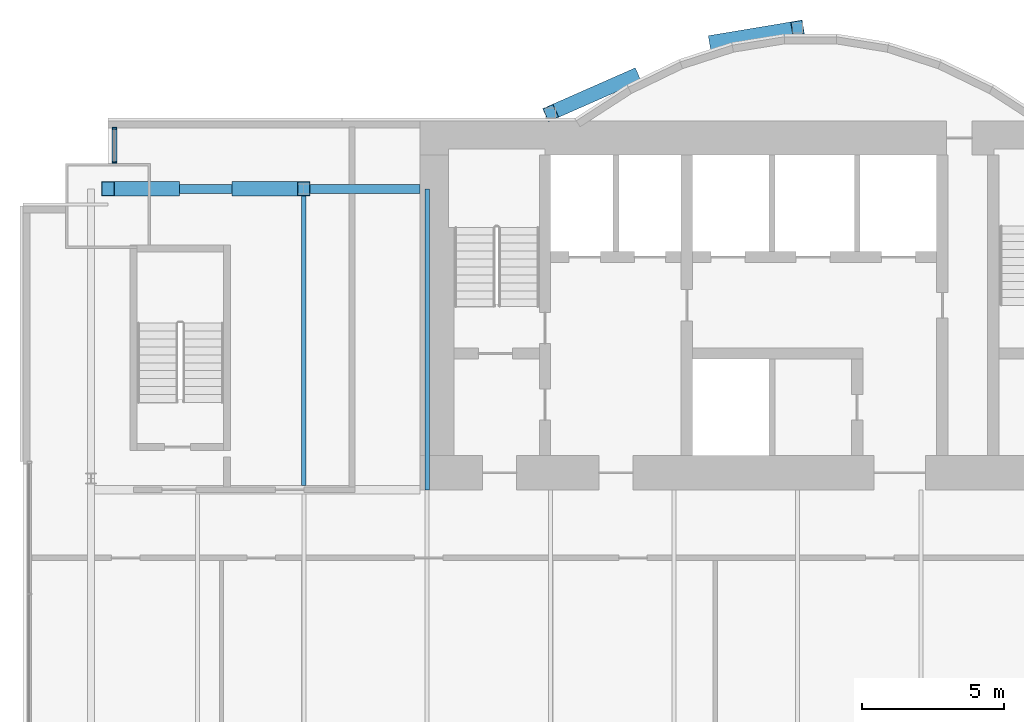
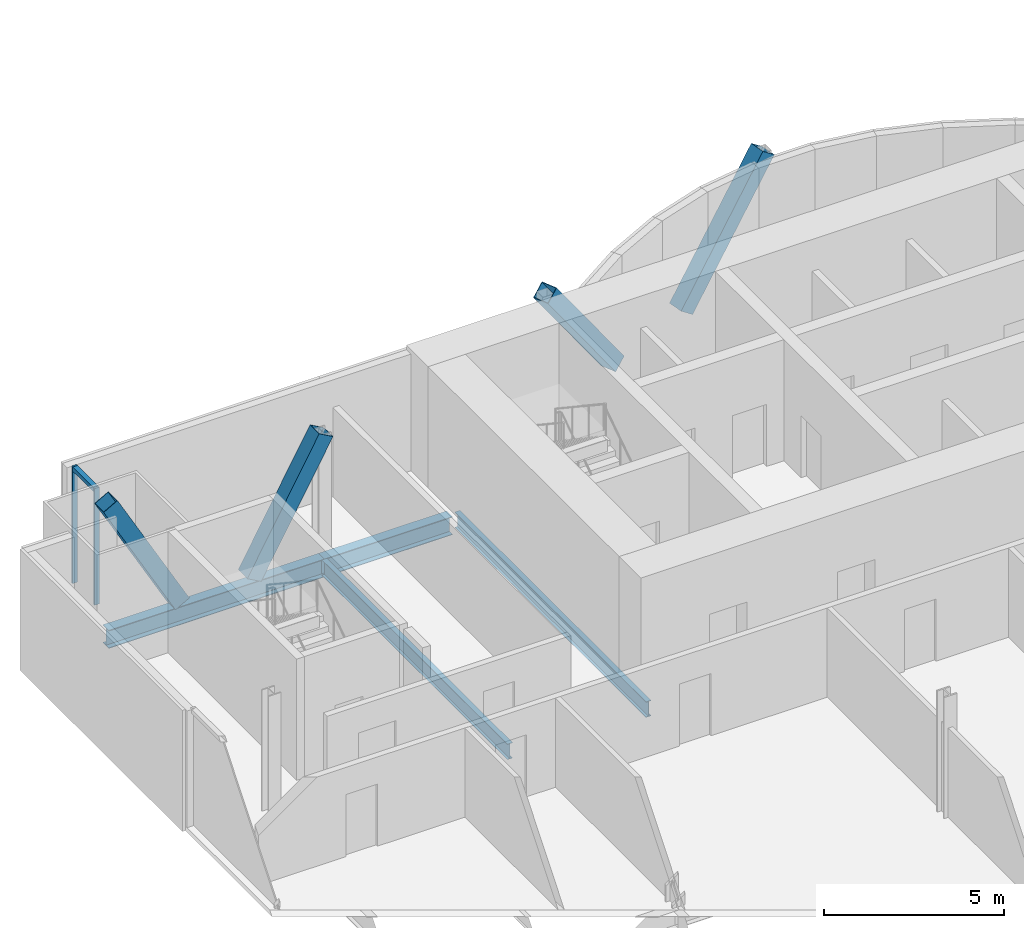
# One storey, part 10 of 21: 7 members, 4 beams, 1 element without a shape of its own.
"""IFC4 building model written with IfcOpenShell, lengths in metres."""

from ifc_helpers import new_model, si_unit, direction, frame, origin, origin_2d, place, context, subcontext, project, spatial, rectangle, hollow_rectangle, i_section, extrude, material, material_profile, profile_set, type_object, element, aggregate, save


model = new_model("IFC4")

# Units and contexts
model_context = context("Model", 3, precision=1e-05, world=origin(), true_north=direction((0.0, 1.0)))
body_context = subcontext(model_context, "Body", "Model", "MODEL_VIEW")
ifc_project = project(units=[si_unit("LENGTHUNIT", "METRE"), si_unit("AREAUNIT", "SQUARE_METRE"), si_unit("VOLUMEUNIT", "CUBIC_METRE"), si_unit("PLANEANGLEUNIT", "RADIAN"), si_unit("MASSUNIT", "GRAM", prefix="KILO")], contexts=[model_context])

# Site, building, storey
site_placement = place(None, origin())
site = spatial("IfcSite", under=ifc_project, at=site_placement, CompositionType="ELEMENT")
building_placement = place(site_placement, origin())
building = spatial("IfcBuilding", under=site, at=building_placement, Name="Bicima Exchange Tower", CompositionType="ELEMENT")
storey_placement = place(building_placement, frame((0.0, 0.0, 98.10009765625)))
storey = spatial("IfcBuildingStorey", under=building, at=storey_placement, Name="L20", CompositionType="ELEMENT", Elevation=98.10009765625)

# Beams
ifc_material_1 = material(Name="Steel ASTM A992 Gr 50", Category="steel")
ifc_material_profile_1 = material_profile(ifc_material_1, i_section(OverallWidth=0.165771484375, OverallDepth=0.5283203125, WebThickness=0.009765625, FlangeThickness=0.013671875, at=origin_2d()))
ifc_profile_set_1 = profile_set([ifc_material_profile_1], Name="Steel ASTM A992 Gr 50")
beam_type_1 = type_object("IfcBeamType", Name="Floor beam W21x50", PredefinedType="JOIST", material=ifc_profile_set_1)
beam_1_placement = place(storey_placement, frame((-26.10009765625, -2.5625, -0.414306640625), z_axis=(0.0, -1.0, 0.0), x_axis=(1.0, 0.0, 0.0)))
element("IfcBeam", 1, at=beam_1_placement, inside=storey, type_object=beam_type_1, Name="Floor beam", PredefinedType="JOIST", context=body_context, shape_type="SweptSolid", body=[
    extrude(i_section(OverallWidth=0.165771484375, OverallDepth=0.5283203125, WebThickness=0.009765625, FlangeThickness=0.013671875, at=origin_2d()), origin(), (0.0, 0.0, 1.0), 10.28515625),
])
beam_2_placement = place(storey_placement, frame((-21.75, -2.39990234375, -0.414306640625), z_axis=(0.0, -1.0, 0.0), x_axis=(1.0, 0.0, 0.0)))
element("IfcBeam", 2, at=beam_2_placement, inside=storey, type_object=beam_type_1, Name="Floor beam", PredefinedType="JOIST", context=body_context, shape_type="SweptSolid", body=[
    extrude(i_section(OverallWidth=0.165771484375, OverallDepth=0.5283203125, WebThickness=0.009765625, FlangeThickness=0.013671875, at=origin_2d()), origin(), (0.0, 0.0, 1.0), 10.60009765625),
])

# Curtain wall, members
ifc_material_2 = material(Name="Anodised bronze aluminium", Category="aluminium")
curtain_wall_type = type_object("IfcCurtainWallType", Name="Front glass wall", PredefinedType="NOTDEFINED", material=ifc_material_2)
curtain_wall_placement = place(storey_placement, origin())
curtain_wall = element("IfcCurtainWall", 3, at=curtain_wall_placement, inside=storey, type_object=curtain_wall_type, Name="Front glass wall L20 run 1", PredefinedType="NOTDEFINED")
ifc_material_profile_2 = material_profile(ifc_material_2, rectangle(XDim=0.159912109375, YDim=0.06005859375, at=origin_2d()))
ifc_profile_set_2 = profile_set([ifc_material_profile_2], Name="Anodised bronze aluminium")
member_type_1 = type_object("IfcMemberType", Name="Front glass wall mullion 60 x 160", PredefinedType="MULLION", material=ifc_profile_set_2)
member_1_placement = place(storey_placement, frame((-32.77001953125, -0.260009765625, 0.0), z_axis=(0.0, 0.0, 1.0), x_axis=(1.0, 0.0, 0.0)))
member_1 = element("IfcMember", 4, at=member_1_placement, type_object=member_type_1, Name="Front glass wall mullion 1", PredefinedType="MULLION", context=body_context, shape_type="SweptSolid", body=[
    extrude(rectangle(XDim=0.159912109375, YDim=0.06005859375, at=origin_2d()), origin(), (0.0, 0.0, 1.0), 3.949951171875),
])
member_2_placement = place(storey_placement, frame((-32.77001953125, -1.469970703125, 0.0), z_axis=(0.0, 0.0, 1.0), x_axis=(1.0, 0.0, 0.0)))
member_2 = element("IfcMember", 5, at=member_2_placement, type_object=member_type_1, Name="Front glass wall mullion 2", PredefinedType="MULLION", context=body_context, shape_type="SweptSolid", body=[
    extrude(rectangle(XDim=0.159912109375, YDim=0.06005859375, at=origin_2d()), origin(), (0.0, 0.0, 1.0), 3.949951171875),
])
ifc_material_profile_3 = material_profile(ifc_material_2, rectangle(XDim=0.159912109375, YDim=0.139892578125, at=origin_2d()))
ifc_profile_set_3 = profile_set([ifc_material_profile_3], Name="Anodised bronze aluminium")
member_type_2 = type_object("IfcMemberType", Name="Front glass wall transom 140 x 160", PredefinedType="USERDEFINED", material=ifc_profile_set_3)
member_3_placement = place(storey_placement, frame((-32.77001953125, -0.2900390625, 3.8798828125), z_axis=(0.0, -1.0, 0.0), x_axis=(1.0, 0.0, 0.0)))
member_3 = element("IfcMember", 6, at=member_3_placement, type_object=member_type_2, Name="Front glass wall transom 1.1", ObjectType="TRANSOM", PredefinedType="USERDEFINED", context=body_context, shape_type="SweptSolid", body=[
    extrude(rectangle(XDim=0.159912109375, YDim=0.139892578125, at=origin_2d()), origin(), (0.0, 0.0, 1.0), 1.14990234375),
])
aggregate(curtain_wall, [member_1, member_2, member_3])

# Members
ifc_material_3 = material(Name="Steel ASTM A572 Gr 50", Category="steel")
ifc_material_profile_4 = material_profile(ifc_material_3, hollow_rectangle(XDim=0.508056640625, YDim=0.508056640625, WallThickness=0.0146484375, at=origin_2d()))
ifc_profile_set_4 = profile_set([ifc_material_profile_4], Name="Steel ASTM A572 Gr 50")
member_type_3 = type_object("IfcMemberType", Name="Mega brace HSS20x20x5/8", PredefinedType="BRACE", material=ifc_profile_set_4)
member_4_placement = place(storey_placement, frame((-11.60009765625, 2.783203125, 0.0), z_axis=(0.57481422557, 0.09629432687, 0.812598307096), x_axis=(-0.165220206918, 0.9862567025, 0.0)))
element("IfcMember", 7, at=member_4_placement, inside=storey, type_object=member_type_3, Name="Mega brace rexo", PredefinedType="BRACE", context=body_context, shape_type="SweptSolid", body=[
    extrude(hollow_rectangle(XDim=0.508056640625, YDim=0.508056640625, WallThickness=0.0146484375, at=origin_2d()), origin(), (0.0, 0.0, 1.0), 5.04541015625),
])
member_5_placement = place(storey_placement, frame((-14.5, 1.55615234375, 0.0), z_axis=(-0.559625363617, -0.246644113364, 0.79119285496), x_axis=(0.403298774981, -0.915068357063, 0.0)))
element("IfcMember", 8, at=member_5_placement, inside=storey, type_object=member_type_3, Name="Mega brace rexo", PredefinedType="BRACE", context=body_context, shape_type="SweptSolid", body=[
    extrude(hollow_rectangle(XDim=0.508056640625, YDim=0.508056640625, WallThickness=0.0146484375, at=origin_2d()), origin(), (0.0, 0.0, 1.0), 5.181884765625),
])
for number, where, z_axis, x_axis, name in (
    (9, (-28.39990234375, -2.39990234375, 0.0), (0.48923266749, 0.0, 0.872153310526), (0.0, 1.0, 0.0), "Mega brace rear"),
    (10, (-30.699951171875, -2.39990234375, 0.0), (-0.489272170815, 0.0, 0.872131150037), (0.0, -1.0, 0.0), "Mega brace rear"),
):
    element("IfcMember", number, at=place(storey_placement, frame(where, z_axis=z_axis, x_axis=x_axis)), inside=storey, type_object=member_type_3, Name=name, PredefinedType="BRACE", context=body_context, shape_type="SweptSolid", body=[
        extrude(hollow_rectangle(XDim=0.508056640625, YDim=0.508056640625, WallThickness=0.0146484375, at=origin_2d()), origin(), (0.0, 0.0, 1.0), 4.700927734375),
    ])

# Beams
ifc_material_profile_5 = material_profile(ifc_material_1, i_section(OverallWidth=0.3251953125, OverallDepth=0.612060546875, WebThickness=0.0126953125, FlangeThickness=0.01904296875, at=origin_2d()))
ifc_profile_set_5 = profile_set([ifc_material_profile_5], Name="Steel ASTM A992 Gr 50")
beam_type_2 = type_object("IfcBeamType", Name="Rear girder W24x104", PredefinedType="BEAM", material=ifc_profile_set_5)
beam_3_placement = place(storey_placement, frame((-22.0, -2.39990234375, -0.456298828125), z_axis=(-1.0, 0.0, 0.0), x_axis=(0.0, -1.0, 0.0)))
element("IfcBeam", 11, at=beam_3_placement, inside=storey, type_object=beam_type_2, Name="Rear girder", PredefinedType="BEAM", context=body_context, shape_type="SweptSolid", body=[
    extrude(i_section(OverallWidth=0.3251953125, OverallDepth=0.612060546875, WebThickness=0.0126953125, FlangeThickness=0.01904296875, at=origin_2d()), origin(), (0.0, 0.0, 1.0), 4.10009765625),
])
beam_4_placement = place(storey_placement, frame((-26.10009765625, -2.39990234375, -0.456298828125), z_axis=(-1.0, 0.0, 0.0), x_axis=(0.0, -1.0, 0.0)))
element("IfcBeam", 12, at=beam_4_placement, inside=storey, type_object=beam_type_2, Name="Rear girder", PredefinedType="BEAM", context=body_context, shape_type="SweptSolid", body=[
    extrude(i_section(OverallWidth=0.3251953125, OverallDepth=0.612060546875, WebThickness=0.0126953125, FlangeThickness=0.01904296875, at=origin_2d()), origin(), (0.0, 0.0, 1.0), 6.89990234375),
])

save(model, "model.ifc")
